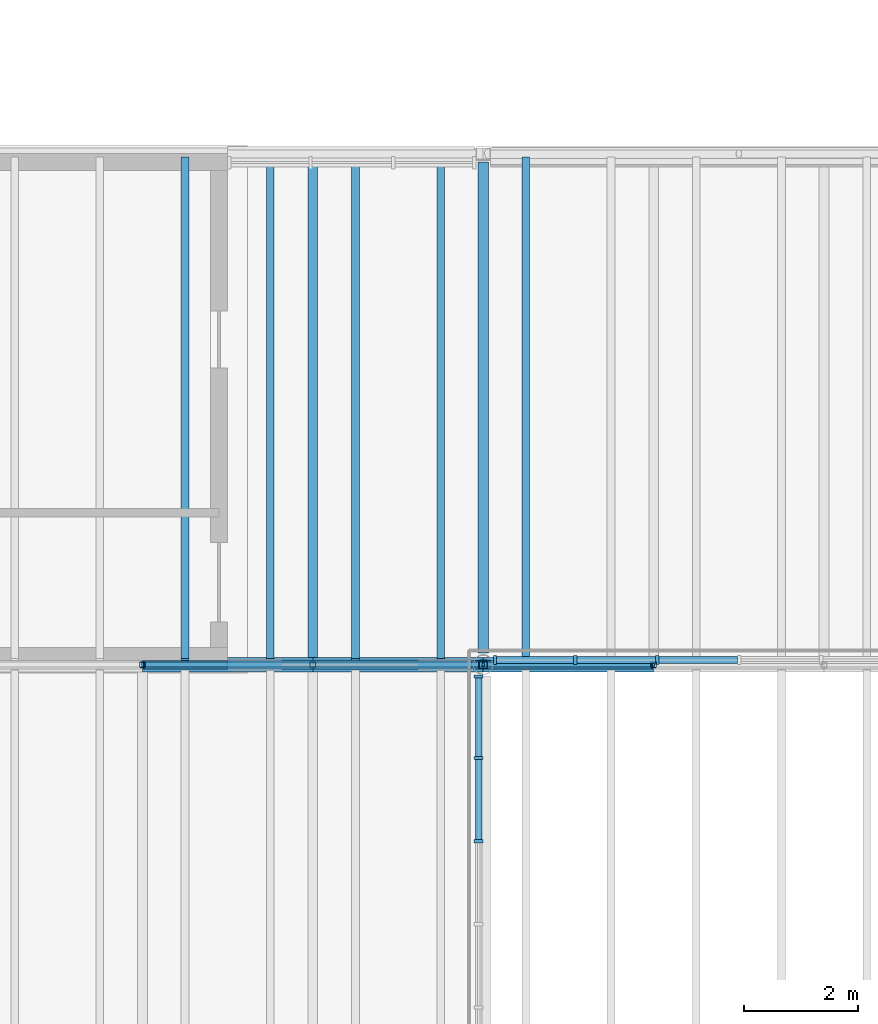
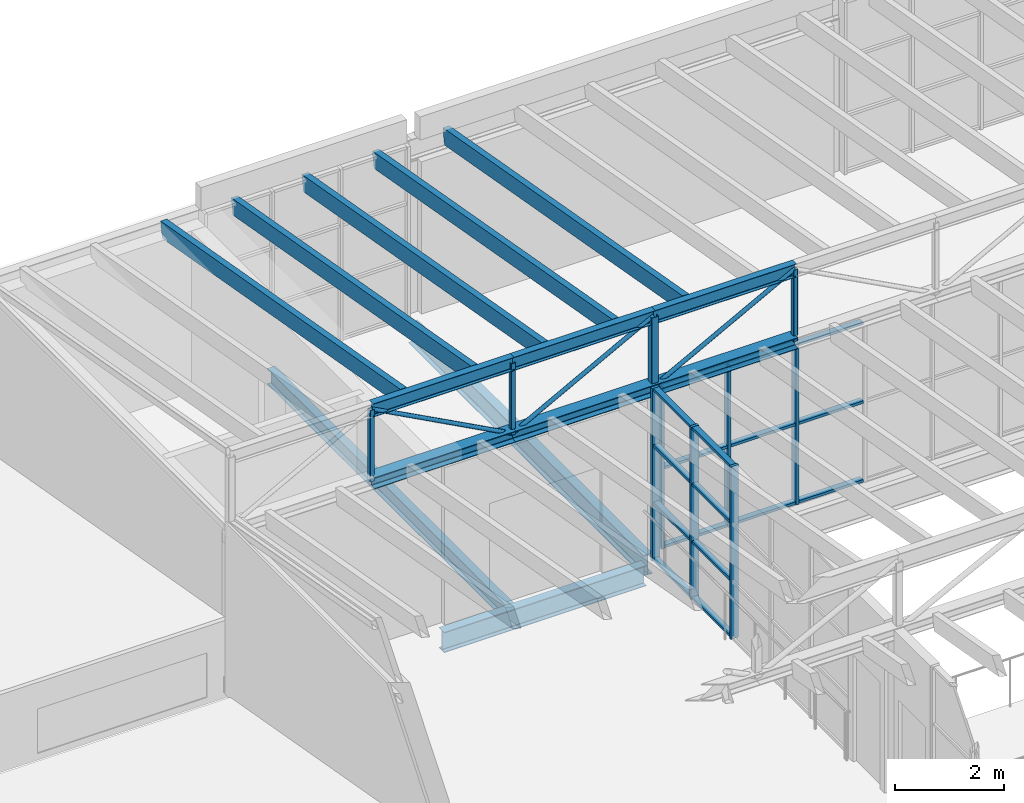
# One storey, part 14 of 44: 41 members, 3 beams, 2 elements without a shape of their own.
"""IFC4 building model written with IfcOpenShell, lengths in metres."""

from ifc_helpers import new_model, si_unit, direction, frame, origin, origin_2d, place, context, subcontext, project, spatial, rectangle, hollow_rectangle, hollow_circle, i_section, extrude, material, layer, layer_set, material_profile, profile_set, type_object, element, aggregate, save


model = new_model("IFC4")

# Units and contexts
model_context = context("Model", 3, precision=1e-05, world=origin(), true_north=direction((0.0, 1.0)))
body_context = subcontext(model_context, "Body", "Model", "MODEL_VIEW")
ifc_project = project(units=[si_unit("LENGTHUNIT", "METRE"), si_unit("AREAUNIT", "SQUARE_METRE"), si_unit("VOLUMEUNIT", "CUBIC_METRE"), si_unit("PLANEANGLEUNIT", "RADIAN"), si_unit("MASSUNIT", "GRAM", prefix="KILO")], contexts=[model_context])

# Site, building, storey
site_placement = place(None, origin())
site = spatial("IfcSite", under=ifc_project, at=site_placement, CompositionType="ELEMENT")
building_placement = place(site_placement, origin())
building = spatial("IfcBuilding", under=site, at=building_placement, Name="Halyard Row Museum", CompositionType="ELEMENT")
storey_placement = place(building_placement, frame((0.0, 0.0, 21.199951171875)))
storey = spatial("IfcBuildingStorey", under=building, at=storey_placement, Name="L04", CompositionType="ELEMENT", Elevation=21.199951171875)

# Curtain wall, members
ifc_material_1 = material(Name="Fire-resisting laminated glazing", Category="glass")
ifc_layer = layer(ifc_material_1, 0.159912109375)
ifc_layer_set = layer_set([ifc_layer], Name="Fire-resisting laminated glazing")
curtain_wall_type = type_object("IfcCurtainWallType", Name="Curtain wall atrium screen 160 deep", PredefinedType="NOTDEFINED", material=ifc_layer_set)
curtain_wall_1_placement = place(storey_placement, origin())
curtain_wall_1 = element("IfcCurtainWall", 1, at=curtain_wall_1_placement, inside=storey, type_object=curtain_wall_type, Name="Curtain wall CW107", PredefinedType="NOTDEFINED")
ifc_material_2 = material(Name="Powder-coated aluminium section", Category="aluminium")
ifc_material_profile_1 = material_profile(ifc_material_2, rectangle(XDim=0.159912109375, YDim=0.06005859375, at=origin_2d()), Name="160x60 mullion")
ifc_profile_set_1 = profile_set([ifc_material_profile_1], Name="Powder-coated aluminium section")
member_type_1 = type_object("IfcMemberType", Name="Curtain wall mullion CM5 60 x 160", PredefinedType="MULLION", material=ifc_profile_set_1)
member_1_placement = place(storey_placement, frame((84.064453125, 27.080078125, 0.0), z_axis=(0.0, 0.0, 1.0), x_axis=(0.0, -1.0, 0.0)))
member_1 = element("IfcMember", 2, at=member_1_placement, type_object=member_type_1, Name="CW107 mullion 5", PredefinedType="MULLION", context=body_context, shape_type="SweptSolid", body=[
    extrude(rectangle(XDim=0.159912109375, YDim=0.06005859375, at=origin_2d()), origin(), (0.0, 0.0, 1.0), 3.60009765625),
])
member_2_placement = place(storey_placement, frame((82.62109375, 27.080078125, 0.0), z_axis=(0.0, 0.0, 1.0), x_axis=(0.0, -1.0, 0.0)))
member_2 = element("IfcMember", 3, at=member_2_placement, type_object=member_type_1, Name="CW107 mullion 6", PredefinedType="MULLION", context=body_context, shape_type="SweptSolid", body=[
    extrude(rectangle(XDim=0.159912109375, YDim=0.06005859375, at=origin_2d()), origin(), (0.0, 0.0, 1.0), 3.60009765625),
])
member_3_placement = place(storey_placement, frame((81.207763671875, 27.080078125, 0.0), z_axis=(0.0, 0.0, 1.0), x_axis=(0.0, -1.0, 0.0)))
member_3 = element("IfcMember", 4, at=member_3_placement, type_object=member_type_1, Name="CW107 mullion 7", PredefinedType="MULLION", context=body_context, shape_type="SweptSolid", body=[
    extrude(rectangle(XDim=0.159912109375, YDim=0.06005859375, at=origin_2d()), origin(), (0.0, 0.0, 1.0), 3.60009765625),
])

curtain_wall_2_placement = place(storey_placement, origin())
curtain_wall_2 = element("IfcCurtainWall", 5, at=curtain_wall_2_placement, inside=storey, type_object=curtain_wall_type, Name="Curtain wall CW108", PredefinedType="NOTDEFINED")
member_4_placement = place(storey_placement, frame((80.919921875, 26.792236328125, 0.0), z_axis=(0.0, 0.0, 1.0), x_axis=(1.0, 0.0, 0.0)))
member_4 = element("IfcMember", 6, at=member_4_placement, type_object=member_type_1, Name="CW108 mullion 1", PredefinedType="MULLION", context=body_context, shape_type="SweptSolid", body=[
    extrude(rectangle(XDim=0.159912109375, YDim=0.06005859375, at=origin_2d()), origin(), (0.0, 0.0, 1.0), 3.878173828125),
])
member_5_placement = place(storey_placement, frame((80.919921875, 25.357666015625, 0.0), z_axis=(0.0, 0.0, 1.0), x_axis=(1.0, 0.0, 0.0)))
member_5 = element("IfcMember", 7, at=member_5_placement, type_object=member_type_1, Name="CW108 mullion 2", PredefinedType="MULLION", context=body_context, shape_type="SweptSolid", body=[
    extrude(rectangle(XDim=0.159912109375, YDim=0.06005859375, at=origin_2d()), origin(), (0.0, 0.0, 1.0), 3.878173828125),
])
member_6_placement = place(storey_placement, frame((80.919921875, 23.893310546875, 0.0), z_axis=(0.0, 0.0, 1.0), x_axis=(1.0, 0.0, 0.0)))
member_6 = element("IfcMember", 8, at=member_6_placement, type_object=member_type_1, Name="CW108 mullion 3", PredefinedType="MULLION", context=body_context, shape_type="SweptSolid", body=[
    extrude(rectangle(XDim=0.159912109375, YDim=0.06005859375, at=origin_2d()), origin(), (0.0, 0.0, 1.0), 3.878173828125),
])

# Member
ifc_material_3 = material(Name="Powder-coated aluminium section", Category="aluminium")
ifc_material_profile_2 = material_profile(ifc_material_3, rectangle(XDim=0.1201171875, YDim=0.06005859375, at=origin_2d()), Name="120x60 transom")
ifc_profile_set_2 = profile_set([ifc_material_profile_2], Name="Powder-coated aluminium section")
member_type_2 = type_object("IfcMemberType", Name="Curtain wall transom CT5 60 x 120", PredefinedType="USERDEFINED", material=ifc_profile_set_2)
member_7_placement = place(storey_placement, frame((85.47802734375, 27.080078125, 0.030029296875), z_axis=(-1.0, 0.0, 0.0), x_axis=(0.0, -1.0, 0.0)))
member_7 = element("IfcMember", 9, at=member_7_placement, type_object=member_type_2, Name="CW107 transom 4.1", ObjectType="TRANSOM", PredefinedType="USERDEFINED", context=body_context, shape_type="SweptSolid", body=[
    extrude(rectangle(XDim=0.1201171875, YDim=0.06005859375, at=origin_2d()), origin(), (0.0, 0.0, 1.0), 1.383544921875),
])

member_8_placement = place(storey_placement, frame((85.47802734375, 27.080078125, 1.800048828125), z_axis=(-1.0, 0.0, 0.0), x_axis=(0.0, -1.0, 0.0)))
member_8 = element("IfcMember", 10, at=member_8_placement, type_object=member_type_2, Name="CW107 transom 4.2", ObjectType="TRANSOM", PredefinedType="USERDEFINED", context=body_context, shape_type="SweptSolid", body=[
    extrude(rectangle(XDim=0.1201171875, YDim=0.06005859375, at=origin_2d()), origin(), (0.0, 0.0, 1.0), 1.383544921875),
])

member_9_placement = place(storey_placement, frame((85.47802734375, 27.080078125, 3.570068359375), z_axis=(-1.0, 0.0, 0.0), x_axis=(0.0, -1.0, 0.0)))
member_9 = element("IfcMember", 11, at=member_9_placement, type_object=member_type_2, Name="CW107 transom 4.3", ObjectType="TRANSOM", PredefinedType="USERDEFINED", context=body_context, shape_type="SweptSolid", body=[
    extrude(rectangle(XDim=0.1201171875, YDim=0.06005859375, at=origin_2d()), origin(), (0.0, 0.0, 1.0), 1.383544921875),
])

member_10_placement = place(storey_placement, frame((84.03466796875, 27.080078125, 0.030029296875), z_axis=(-1.0, 0.0, 0.0), x_axis=(0.0, -1.0, 0.0)))
member_10 = element("IfcMember", 12, at=member_10_placement, type_object=member_type_2, Name="CW107 transom 5.1", ObjectType="TRANSOM", PredefinedType="USERDEFINED", context=body_context, shape_type="SweptSolid", body=[
    extrude(rectangle(XDim=0.1201171875, YDim=0.06005859375, at=origin_2d()), origin(), (0.0, 0.0, 1.0), 1.383544921875),
])

member_11_placement = place(storey_placement, frame((84.03466796875, 27.080078125, 1.800048828125), z_axis=(-1.0, 0.0, 0.0), x_axis=(0.0, -1.0, 0.0)))
member_11 = element("IfcMember", 13, at=member_11_placement, type_object=member_type_2, Name="CW107 transom 5.2", ObjectType="TRANSOM", PredefinedType="USERDEFINED", context=body_context, shape_type="SweptSolid", body=[
    extrude(rectangle(XDim=0.1201171875, YDim=0.06005859375, at=origin_2d()), origin(), (0.0, 0.0, 1.0), 1.383544921875),
])

member_12_placement = place(storey_placement, frame((84.03466796875, 27.080078125, 3.570068359375), z_axis=(-1.0, 0.0, 0.0), x_axis=(0.0, -1.0, 0.0)))
member_12 = element("IfcMember", 14, at=member_12_placement, type_object=member_type_2, Name="CW107 transom 5.3", ObjectType="TRANSOM", PredefinedType="USERDEFINED", context=body_context, shape_type="SweptSolid", body=[
    extrude(rectangle(XDim=0.1201171875, YDim=0.06005859375, at=origin_2d()), origin(), (0.0, 0.0, 1.0), 1.383544921875),
])

member_13_placement = place(storey_placement, frame((82.591064453125, 27.080078125, 0.030029296875), z_axis=(-1.0, 0.0, 0.0), x_axis=(0.0, -1.0, 0.0)))
member_13 = element("IfcMember", 15, at=member_13_placement, type_object=member_type_2, Name="CW107 transom 6.1", ObjectType="TRANSOM", PredefinedType="USERDEFINED", context=body_context, shape_type="SweptSolid", body=[
    extrude(rectangle(XDim=0.1201171875, YDim=0.06005859375, at=origin_2d()), origin(), (0.0, 0.0, 1.0), 1.353271484375),
])

member_14_placement = place(storey_placement, frame((82.591064453125, 27.080078125, 1.800048828125), z_axis=(-1.0, 0.0, 0.0), x_axis=(0.0, -1.0, 0.0)))
member_14 = element("IfcMember", 16, at=member_14_placement, type_object=member_type_2, Name="CW107 transom 6.2", ObjectType="TRANSOM", PredefinedType="USERDEFINED", context=body_context, shape_type="SweptSolid", body=[
    extrude(rectangle(XDim=0.1201171875, YDim=0.06005859375, at=origin_2d()), origin(), (0.0, 0.0, 1.0), 1.353271484375),
])

member_15_placement = place(storey_placement, frame((82.591064453125, 27.080078125, 3.570068359375), z_axis=(-1.0, 0.0, 0.0), x_axis=(0.0, -1.0, 0.0)))
member_15 = element("IfcMember", 17, at=member_15_placement, type_object=member_type_2, Name="CW107 transom 6.3", ObjectType="TRANSOM", PredefinedType="USERDEFINED", context=body_context, shape_type="SweptSolid", body=[
    extrude(rectangle(XDim=0.1201171875, YDim=0.06005859375, at=origin_2d()), origin(), (0.0, 0.0, 1.0), 1.353271484375),
])

aggregate(curtain_wall_1, [member_1, member_2, member_3, member_7, member_8, member_9, member_10, member_11, member_12, member_13, member_14, member_15])

member_16_placement = place(storey_placement, frame((80.919921875, 26.76220703125, 0.030029296875), z_axis=(0.0, -1.0, 0.0), x_axis=(1.0, 0.0, 0.0)))
member_16 = element("IfcMember", 18, at=member_16_placement, type_object=member_type_2, Name="CW108 transom 1.1", ObjectType="TRANSOM", PredefinedType="USERDEFINED", context=body_context, shape_type="SweptSolid", body=[
    extrude(rectangle(XDim=0.1201171875, YDim=0.06005859375, at=origin_2d()), origin(), (0.0, 0.0, 1.0), 1.37451171875),
])

member_17_placement = place(storey_placement, frame((80.919921875, 26.76220703125, 1.292724609375), z_axis=(0.0, -1.0, 0.0), x_axis=(1.0, 0.0, 0.0)))
member_17 = element("IfcMember", 19, at=member_17_placement, type_object=member_type_2, Name="CW108 transom 1.2", ObjectType="TRANSOM", PredefinedType="USERDEFINED", context=body_context, shape_type="SweptSolid", body=[
    extrude(rectangle(XDim=0.1201171875, YDim=0.06005859375, at=origin_2d()), origin(), (0.0, 0.0, 1.0), 1.37451171875),
])

member_18_placement = place(storey_placement, frame((80.919921875, 26.76220703125, 2.58544921875), z_axis=(0.0, -1.0, 0.0), x_axis=(1.0, 0.0, 0.0)))
member_18 = element("IfcMember", 20, at=member_18_placement, type_object=member_type_2, Name="CW108 transom 1.3", ObjectType="TRANSOM", PredefinedType="USERDEFINED", context=body_context, shape_type="SweptSolid", body=[
    extrude(rectangle(XDim=0.1201171875, YDim=0.06005859375, at=origin_2d()), origin(), (0.0, 0.0, 1.0), 1.37451171875),
])

member_19_placement = place(storey_placement, frame((80.919921875, 26.76220703125, 3.84814453125), z_axis=(0.0, -1.0, 0.0), x_axis=(1.0, 0.0, 0.0)))
member_19 = element("IfcMember", 21, at=member_19_placement, type_object=member_type_2, Name="CW108 transom 1.4", ObjectType="TRANSOM", PredefinedType="USERDEFINED", context=body_context, shape_type="SweptSolid", body=[
    extrude(rectangle(XDim=0.1201171875, YDim=0.06005859375, at=origin_2d()), origin(), (0.0, 0.0, 1.0), 1.37451171875),
])

member_20_placement = place(storey_placement, frame((80.919921875, 25.327880859375, 0.030029296875), z_axis=(0.0, -1.0, 0.0), x_axis=(1.0, 0.0, 0.0)))
member_20 = element("IfcMember", 22, at=member_20_placement, type_object=member_type_2, Name="CW108 transom 2.1", ObjectType="TRANSOM", PredefinedType="USERDEFINED", context=body_context, shape_type="SweptSolid", body=[
    extrude(rectangle(XDim=0.1201171875, YDim=0.06005859375, at=origin_2d()), origin(), (0.0, 0.0, 1.0), 1.404541015625),
])

member_21_placement = place(storey_placement, frame((80.919921875, 25.327880859375, 1.292724609375), z_axis=(0.0, -1.0, 0.0), x_axis=(1.0, 0.0, 0.0)))
member_21 = element("IfcMember", 23, at=member_21_placement, type_object=member_type_2, Name="CW108 transom 2.2", ObjectType="TRANSOM", PredefinedType="USERDEFINED", context=body_context, shape_type="SweptSolid", body=[
    extrude(rectangle(XDim=0.1201171875, YDim=0.06005859375, at=origin_2d()), origin(), (0.0, 0.0, 1.0), 1.404541015625),
])

member_22_placement = place(storey_placement, frame((80.919921875, 25.327880859375, 2.58544921875), z_axis=(0.0, -1.0, 0.0), x_axis=(1.0, 0.0, 0.0)))
member_22 = element("IfcMember", 24, at=member_22_placement, type_object=member_type_2, Name="CW108 transom 2.3", ObjectType="TRANSOM", PredefinedType="USERDEFINED", context=body_context, shape_type="SweptSolid", body=[
    extrude(rectangle(XDim=0.1201171875, YDim=0.06005859375, at=origin_2d()), origin(), (0.0, 0.0, 1.0), 1.404541015625),
])

member_23_placement = place(storey_placement, frame((80.919921875, 25.327880859375, 3.84814453125), z_axis=(0.0, -1.0, 0.0), x_axis=(1.0, 0.0, 0.0)))
member_23 = element("IfcMember", 25, at=member_23_placement, type_object=member_type_2, Name="CW108 transom 2.4", ObjectType="TRANSOM", PredefinedType="USERDEFINED", context=body_context, shape_type="SweptSolid", body=[
    extrude(rectangle(XDim=0.1201171875, YDim=0.06005859375, at=origin_2d()), origin(), (0.0, 0.0, 1.0), 1.404541015625),
])

aggregate(curtain_wall_2, [member_4, member_5, member_6, member_16, member_17, member_18, member_19, member_20, member_21, member_22, member_23])

# Beams
ifc_material_4 = material(Name="Steel Grade 300", Category="steel")
ifc_material_profile_3 = material_profile(ifc_material_4, i_section(OverallWidth=0.19091796875, OverallDepth=0.46044921875, WebThickness=0.010009765625, FlangeThickness=0.01611328125, FilletRadius=0.011474609375, at=origin_2d()), Name="460UB82.1")
ifc_profile_set_3 = profile_set([ifc_material_profile_3], Name="Steel Grade 300")
beam_type_1 = type_object("IfcBeamType", Name="Girder beam 460UB82.1", PredefinedType="BEAM", material=ifc_profile_set_3)
beam_1_placement = place(storey_placement, frame((76.5, 27.0, -0.395263671875), z_axis=(1.0, 0.0, 0.0), x_axis=(0.0, 1.0, 0.0)))
element("IfcBeam", 26, at=beam_1_placement, inside=storey, type_object=beam_type_1, Name="Beam L04-011", PredefinedType="BEAM", context=body_context, shape_type="SweptSolid", body=[
    extrude(i_section(OverallWidth=0.19091796875, OverallDepth=0.46044921875, WebThickness=0.010009765625, FlangeThickness=0.01611328125, FilletRadius=0.011474609375, at=origin_2d()), origin(), (0.0, 0.0, 1.0), 4.296875),
])
beam_2_placement = place(storey_placement, frame((81.0, 27.203125, -0.395263671875), z_axis=(0.0, 1.0, 0.0), x_axis=(-1.0, 0.0, 0.0)))
element("IfcBeam", 27, at=beam_2_placement, inside=storey, type_object=beam_type_1, Name="Beam L04-024", PredefinedType="BEAM", context=body_context, shape_type="SweptSolid", body=[
    extrude(i_section(OverallWidth=0.19091796875, OverallDepth=0.46044921875, WebThickness=0.010009765625, FlangeThickness=0.01611328125, FilletRadius=0.011474609375, at=origin_2d()), origin(), (0.0, 0.0, 1.0), 8.64697265625),
])

# Members
ifc_material_5 = material(Name="Glulam GL12 radiata pine", Category="wood")
ifc_material_profile_4 = material_profile(ifc_material_5, rectangle(XDim=0.135009765625, YDim=0.360107421875, at=origin_2d()), Name="GL12 135x360")
ifc_profile_set_4 = profile_set([ifc_material_profile_4], Name="Glulam GL12 radiata pine")
member_type_3 = type_object("IfcMemberType", Name="Rafter GL12 135x360", PredefinedType="RAFTER", material=ifc_profile_set_4)
for number, where, z_axis, x_axis, name in (
    (28, (75.75, 27.074462890625, 5.283935546875), (0.0, 0.984561882288, -0.175036853105), (-1.0, 0.0, 0.0), "Rafter V2-T4a.3"),
    (29, (77.25, 27.074462890625, 5.283935546875), (0.0, 0.984561882288, -0.175036853105), (-1.0, 0.0, 0.0), "Rafter V2-T4a.4"),
    (30, (78.75, 27.074462890625, 5.283935546875), (0.0, 0.984561882288, -0.175036853105), (-1.0, 0.0, 0.0), "Rafter V2-T4a.5"),
    (31, (80.25, 27.074462890625, 5.283935546875), (0.0, 0.984561882288, -0.175036853105), (-1.0, 0.0, 0.0), "Rafter V2-T4a.6"),
    (32, (81.75, 27.074462890625, 5.283935546875), (0.0, 0.984561882288, -0.175036853105), (-1.0, 0.0, 0.0), "Rafter V2-T4a.7"),
):
    element("IfcMember", number, at=place(storey_placement, frame(where, z_axis=z_axis, x_axis=x_axis)), inside=storey, type_object=member_type_3, Name=name, PredefinedType="RAFTER", context=body_context, shape_type="SweptSolid", body=[
        extrude(rectangle(XDim=0.135009765625, YDim=0.360107421875, at=origin_2d()), origin(), (0.0, 0.0, 1.0), 8.968505859375),
    ])

# Beam
ifc_material_6 = material(Name="Steel Grade 300", Category="steel")
ifc_material_profile_5 = material_profile(ifc_material_6, i_section(OverallWidth=0.1708984375, OverallDepth=0.355712890625, WebThickness=0.00732421875, FlangeThickness=0.011474609375, FilletRadius=0.011474609375, at=origin_2d()), Name="360UB50.7")
ifc_profile_set_5 = profile_set([ifc_material_profile_5], Name="Steel Grade 300")
beam_type_2 = type_object("IfcBeamType", Name="Secondary beam 360UB50.7", PredefinedType="BEAM", material=ifc_profile_set_5)
beam_3_placement = place(storey_placement, frame((78.0, 27.095458984375, -0.3427734375), z_axis=(0.0, 1.0, 0.0), x_axis=(-1.0, 0.0, 0.0)))
element("IfcBeam", 33, at=beam_3_placement, inside=storey, type_object=beam_type_2, Name="Beam L04-047", PredefinedType="BEAM", context=body_context, shape_type="SweptSolid", body=[
    extrude(i_section(OverallWidth=0.1708984375, OverallDepth=0.355712890625, WebThickness=0.00732421875, FlangeThickness=0.011474609375, FilletRadius=0.011474609375, at=origin_2d()), origin(), (0.0, 0.0, 1.0), 8.779541015625),
])

# Members
ifc_material_7 = material(Name="Steel Grade 300", Category="steel")
ifc_material_profile_6 = material_profile(ifc_material_7, i_section(OverallWidth=0.25390625, OverallDepth=0.25390625, WebThickness=0.008544921875, FlangeThickness=0.01416015625, FilletRadius=0.013916015625, at=origin_2d()), Name="250UC72.9")
ifc_profile_set_6 = profile_set([ifc_material_profile_6], Name="Steel Grade 300")
member_type_4 = type_object("IfcMemberType", Name="Valley truss bottom chord 250UC72.9", PredefinedType="CHORD", material=ifc_profile_set_6)
for number, where, z_axis, x_axis, name in (
    (34, (75.0, 27.0, 3.72705078125), (1.0, 0.0, 0.0), (0.0, 1.0, 0.0), "V2-VT4 bottom chord 1.2"),
    (35, (78.0, 27.0, 3.72705078125), (1.0, 0.0, 0.0), (0.0, 1.0, 0.0), "V2-VT4 bottom chord 1.3"),
    (36, (81.0, 27.0, 3.72705078125), (1.0, 0.0, 0.0), (0.0, 1.0, 0.0), "V2-VT4 bottom chord 2.1"),
):
    element("IfcMember", number, at=place(storey_placement, frame(where, z_axis=z_axis, x_axis=x_axis)), inside=storey, type_object=member_type_4, Name=name, PredefinedType="CHORD", context=body_context, shape_type="SweptSolid", body=[
        extrude(i_section(OverallWidth=0.25390625, OverallDepth=0.25390625, WebThickness=0.008544921875, FlangeThickness=0.01416015625, FilletRadius=0.013916015625, at=origin_2d()), origin(), (0.0, 0.0, 1.0), 3.0),
    ])
ifc_material_8 = material(Name="Steel Grade C250L0", Category="steel")
ifc_material_profile_7 = material_profile(ifc_material_8, hollow_circle(Radius=0.04443359375, WallThickness=0.0048828125, at=origin_2d()), Name="88.9x5.0CHS")
ifc_profile_set_7 = profile_set([ifc_material_profile_7], Name="Steel Grade C250L0")
member_type_5 = type_object("IfcMemberType", Name="Valley truss diagonal 88.9x5.0CHS", PredefinedType="BRACE", material=ifc_profile_set_7)
for number, where, z_axis, x_axis, name in (
    (37, (75.0, 27.0, 5.3310546875), (0.881863759518, 0.0, -0.471504305016), (0.0, 1.0, 0.0), "V2-VT4 diagonal 1.2"),
    (38, (78.0, 27.0, 3.72705078125), (0.881863759518, 0.0, 0.471504305016), (0.0, 1.0, 0.0), "V2-VT4 diagonal 1.3"),
    (39, (81.0, 27.0, 3.72705078125), (0.881863759518, 0.0, 0.471504305016), (0.0, 1.0, 0.0), "V2-VT4 diagonal 2.1"),
):
    element("IfcMember", number, at=place(storey_placement, frame(where, z_axis=z_axis, x_axis=x_axis)), inside=storey, type_object=member_type_5, Name=name, PredefinedType="BRACE", context=body_context, shape_type="SweptSolid", body=[
        extrude(hollow_circle(Radius=0.04443359375, WallThickness=0.0048828125, at=origin_2d()), origin(), (0.0, 0.0, 1.0), 3.40185546875),
    ])
ifc_material_9 = material(Name="Steel Grade C350L0", Category="steel")
ifc_material_profile_8 = material_profile(ifc_material_9, hollow_rectangle(XDim=0.10009765625, YDim=0.10009765625, WallThickness=0.006103515625, InnerFilletRadius=0.009033203125, OuterFilletRadius=0.014892578125, at=origin_2d()), Name="100x100x6.0SHS")
ifc_profile_set_8 = profile_set([ifc_material_profile_8], Name="Steel Grade C350L0")
member_type_6 = type_object("IfcMemberType", Name="Valley truss post 100x100x6.0SHS", PredefinedType="POST", material=ifc_profile_set_8)
for number, where, z_axis, x_axis, name in (
    (40, (75.0, 27.0, 3.72705078125), (0.0, 0.0, 1.0), (1.0, 0.0, 0.0), "V2-VT4 post 1.1"),
    (41, (78.0, 27.0, 3.72705078125), (0.0, 0.0, 1.0), (1.0, 0.0, 0.0), "V2-VT4 post 1.2"),
    (42, (84.0, 27.0, 3.72705078125), (0.0, 0.0, 1.0), (1.0, 0.0, 0.0), "V2-VT4 post 2.1"),
):
    element("IfcMember", number, at=place(storey_placement, frame(where, z_axis=z_axis, x_axis=x_axis)), inside=storey, type_object=member_type_6, Name=name, PredefinedType="POST", context=body_context, shape_type="SweptSolid", body=[
        extrude(hollow_rectangle(XDim=0.10009765625, YDim=0.10009765625, WallThickness=0.006103515625, InnerFilletRadius=0.009033203125, OuterFilletRadius=0.014892578125, at=origin_2d()), origin(), (0.0, 0.0, 1.0), 1.60400390625),
    ])
ifc_material_10 = material(Name="Steel Grade C350L0", Category="steel")
ifc_material_profile_9 = material_profile(ifc_material_10, hollow_rectangle(XDim=0.14990234375, YDim=0.14990234375, WallThickness=0.006103515625, InnerFilletRadius=0.009033203125, OuterFilletRadius=0.014892578125, at=origin_2d()), Name="150x150x6.0SHS")
ifc_profile_set_9 = profile_set([ifc_material_profile_9], Name="Steel Grade C350L0")
member_type_7 = type_object("IfcMemberType", Name="Valley truss post 150x150x6.0SHS", PredefinedType="POST", material=ifc_profile_set_9)
member_24_placement = place(storey_placement, frame((81.0, 27.0, 3.72705078125), z_axis=(0.0, 0.0, 1.0), x_axis=(1.0, 0.0, 0.0)))
element("IfcMember", 43, at=member_24_placement, inside=storey, type_object=member_type_7, Name="V2-VT4 post 1.3", PredefinedType="POST", context=body_context, shape_type="SweptSolid", body=[
    extrude(hollow_rectangle(XDim=0.14990234375, YDim=0.14990234375, WallThickness=0.006103515625, InnerFilletRadius=0.009033203125, OuterFilletRadius=0.014892578125, at=origin_2d()), origin(), (0.0, 0.0, 1.0), 1.60400390625),
])
ifc_material_11 = material(Name="Steel Grade 300", Category="steel")
ifc_material_profile_10 = material_profile(ifc_material_11, i_section(OverallWidth=0.14892578125, OverallDepth=0.298095703125, WebThickness=0.005615234375, FlangeThickness=0.008056640625, FilletRadius=0.012939453125, at=origin_2d()), Name="310UB32.0")
ifc_profile_set_10 = profile_set([ifc_material_profile_10], Name="Steel Grade 300")
member_type_8 = type_object("IfcMemberType", Name="Valley truss top chord 310UB32.0", PredefinedType="CHORD", material=ifc_profile_set_10)
for number, where, z_axis, x_axis, name in (
    (44, (75.0, 27.0, 5.3310546875), (1.0, 0.0, 0.0), (0.0, 1.0, 0.0), "V2-VT4 top chord 1.2"),
    (45, (78.0, 27.0, 5.3310546875), (1.0, 0.0, 0.0), (0.0, 1.0, 0.0), "V2-VT4 top chord 1.3"),
    (46, (81.0, 27.0, 5.3310546875), (1.0, 0.0, 0.0), (0.0, 1.0, 0.0), "V2-VT4 top chord 2.1"),
):
    element("IfcMember", number, at=place(storey_placement, frame(where, z_axis=z_axis, x_axis=x_axis)), inside=storey, type_object=member_type_8, Name=name, PredefinedType="CHORD", context=body_context, shape_type="SweptSolid", body=[
        extrude(i_section(OverallWidth=0.14892578125, OverallDepth=0.298095703125, WebThickness=0.005615234375, FlangeThickness=0.008056640625, FilletRadius=0.012939453125, at=origin_2d()), origin(), (0.0, 0.0, 1.0), 3.0),
    ])

save(model, "model.ifc")
